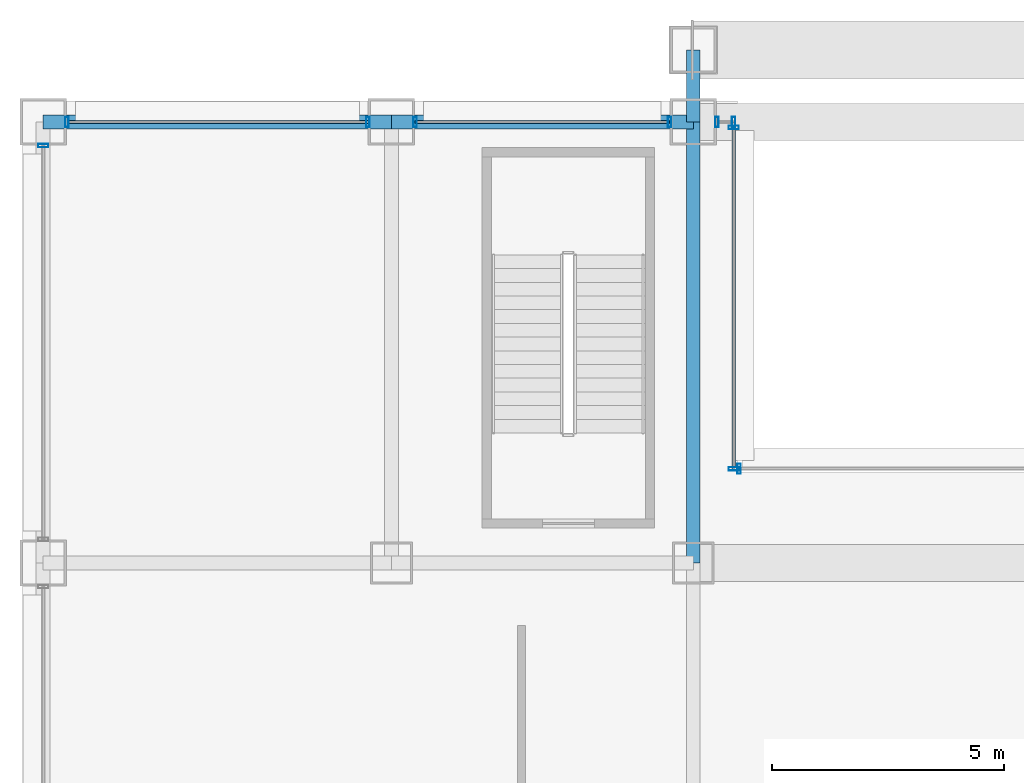
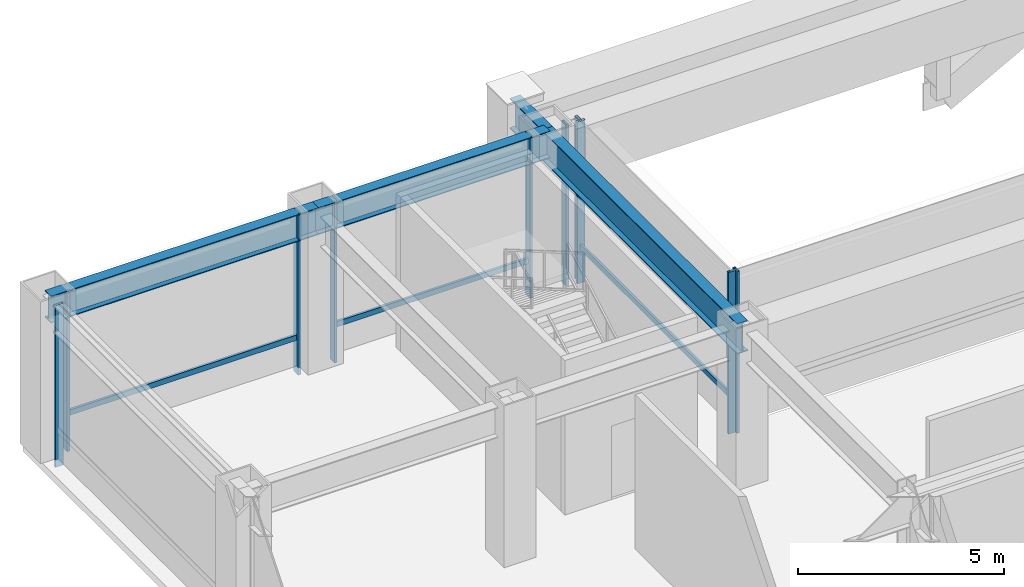
# One storey, part 17 of 37: 13 members, 4 beams, 6 elements without a shape of their own.
"""IFC4 building model written with IfcOpenShell, lengths in metres."""

from ifc_helpers import new_model, si_unit, direction, frame, origin, origin_2d, place, context, subcontext, project, spatial, hollow_rectangle, i_section, extrude, material, layer, layer_set, material_profile, profile_set, type_object, element, aggregate, save


model = new_model("IFC4")

# Units and contexts
model_context = context("Model", 3, precision=1e-05, world=origin(), true_north=direction((0.0, 1.0)))
body_context = subcontext(model_context, "Body", "Model", "MODEL_VIEW")
ifc_project = project(units=[si_unit("LENGTHUNIT", "METRE"), si_unit("AREAUNIT", "SQUARE_METRE"), si_unit("VOLUMEUNIT", "CUBIC_METRE"), si_unit("PLANEANGLEUNIT", "RADIAN"), si_unit("MASSUNIT", "GRAM", prefix="KILO")], contexts=[model_context])

# Site, building, storey
site_placement = place(None, origin())
site = spatial("IfcSite", under=ifc_project, at=site_placement, CompositionType="ELEMENT")
building_placement = place(site_placement, origin())
building = spatial("IfcBuilding", under=site, at=building_placement, Name="Brelmoor Portico Tower", CompositionType="ELEMENT")
storey_placement = place(building_placement, frame((0.0, 0.0, 14.39990234375)))
storey = spatial("IfcBuildingStorey", under=building, at=storey_placement, Name="L03", CompositionType="ELEMENT", Elevation=14.39990234375)

# Beams
ifc_material_1 = material(Name="Steel Q355B", Category="steel")
ifc_material_profile_1 = material_profile(ifc_material_1, i_section(OverallWidth=0.300048828125, OverallDepth=0.89990234375, WebThickness=0.01611328125, FlangeThickness=0.028076171875, at=origin_2d()), Name="HN 900x300x16x28")
ifc_profile_set_1 = profile_set([ifc_material_profile_1], Name="Steel Q355B")
beam_type_1 = type_object("IfcBeamType", Name="BM-PG-900", PredefinedType="BEAM", material=ifc_profile_set_1)
beam_1_placement = place(storey_placement, frame((-14.550048828125, 18.050048828125, 4.130126953125), z_axis=(0.0, 1.0, 0.0), x_axis=(-1.0, 0.0, 0.0)))
element("IfcBeam", 1, at=beam_1_placement, inside=storey, type_object=beam_type_1, Name="L03 Primary Floor Girder PG-09", PredefinedType="BEAM", context=body_context, shape_type="SweptSolid", body=[
    extrude(i_section(OverallWidth=0.300048828125, OverallDepth=0.89990234375, WebThickness=0.01611328125, FlangeThickness=0.028076171875, at=origin_2d()), origin(), (0.0, 0.0, 1.0), 9.5),
])
beam_2_placement = place(storey_placement, frame((-14.550048828125, 27.550048828125, 4.130126953125), z_axis=(0.0, 1.0, 0.0), x_axis=(-1.0, 0.0, 0.0)))
element("IfcBeam", 2, at=beam_2_placement, inside=storey, type_object=beam_type_1, Name="L03 Primary Floor Girder PG-10", PredefinedType="BEAM", context=body_context, shape_type="SweptSolid", body=[
    extrude(i_section(OverallWidth=0.300048828125, OverallDepth=0.89990234375, WebThickness=0.01611328125, FlangeThickness=0.028076171875, at=origin_2d()), origin(), (0.0, 0.0, 1.0), 1.550048828125),
])
ifc_material_profile_2 = material_profile(ifc_material_1, i_section(OverallWidth=0.300048828125, OverallDepth=0.800048828125, WebThickness=0.013916015625, FlangeThickness=0.02587890625, at=origin_2d()), Name="HN 800x300x14x26")
ifc_profile_set_2 = profile_set([ifc_material_profile_2], Name="Steel Q355B")
beam_type_2 = type_object("IfcBeamType", Name="BM-SP-800", PredefinedType="SPANDREL", material=ifc_profile_set_2)
beam_3_placement = place(storey_placement, frame((-28.550048828125, 27.550048828125, 4.18017578125), z_axis=(1.0, 0.0, 0.0), x_axis=(0.0, 1.0, 0.0)))
element("IfcBeam", 3, at=beam_3_placement, inside=storey, type_object=beam_type_2, Name="L03 Perimeter Spandrel Beam SP-06", PredefinedType="SPANDREL", context=body_context, shape_type="SweptSolid", body=[
    extrude(i_section(OverallWidth=0.300048828125, OverallDepth=0.800048828125, WebThickness=0.013916015625, FlangeThickness=0.02587890625, at=origin_2d()), origin(), (0.0, 0.0, 1.0), 7.5),
])
beam_4_placement = place(storey_placement, frame((-21.050048828125, 27.550048828125, 4.18017578125), z_axis=(1.0, 0.0, 0.0), x_axis=(0.0, 1.0, 0.0)))
element("IfcBeam", 4, at=beam_4_placement, inside=storey, type_object=beam_type_2, Name="L03 Perimeter Spandrel Beam SP-07", PredefinedType="SPANDREL", context=body_context, shape_type="SweptSolid", body=[
    extrude(i_section(OverallWidth=0.300048828125, OverallDepth=0.800048828125, WebThickness=0.013916015625, FlangeThickness=0.02587890625, at=origin_2d()), origin(), (0.0, 0.0, 1.0), 6.5),
])

# Curtain wall, members
ifc_material_2 = material(Name="Anodised Aluminium Alloy 6063-T6", Category="aluminium")
ifc_layer = layer(ifc_material_2, 0.179931640625)
ifc_layer_set = layer_set([ifc_layer], Name="Anodised Aluminium Alloy 6063-T6")
curtain_wall_type = type_object("IfcCurtainWallType", Name="CW-PODIUM-ARCH", PredefinedType="NOTDEFINED", material=ifc_layer_set)
curtain_wall_1_placement = place(storey_placement, origin())
curtain_wall_1 = element("IfcCurtainWall", 5, at=curtain_wall_1_placement, inside=storey, type_object=curtain_wall_type, Name="L03 Curtain Wall CW-L03-06-1", PredefinedType="NOTDEFINED")
ifc_material_profile_3 = material_profile(ifc_material_2, hollow_rectangle(XDim=0.074951171875, YDim=0.219970703125, WallThickness=0.0048828125, at=origin_2d()), Name="ALU MULLION 75x220")
ifc_profile_set_3 = profile_set([ifc_material_profile_3], Name="Anodised Aluminium Alloy 6063-T6")
member_type_1 = type_object("IfcMemberType", Name="MB-CW-MULL-220", PredefinedType="MULLION", material=ifc_profile_set_3)
member_1_placement = place(storey_placement, frame((-28.0400390625, 27.550048828125, -0.219970703125), z_axis=(0.0, 0.0, 1.0), x_axis=(1.0, 0.0, 0.0)))
member_1 = element("IfcMember", 6, at=member_1_placement, type_object=member_type_1, Name="CW-L03-06-1 Mullion 00", PredefinedType="MULLION", context=body_context, shape_type="SweptSolid", body=[
    extrude(hollow_rectangle(XDim=0.074951171875, YDim=0.219970703125, WallThickness=0.0048828125, at=origin_2d()), origin(), (0.0, 0.0, 1.0), 4.800048828125),
])
member_2_placement = place(storey_placement, frame((-21.56005859375, 27.550048828125, -0.219970703125), z_axis=(0.0, 0.0, 1.0), x_axis=(1.0, 0.0, 0.0)))
member_2 = element("IfcMember", 7, at=member_2_placement, type_object=member_type_1, Name="CW-L03-06-1 Mullion 01", PredefinedType="MULLION", context=body_context, shape_type="SweptSolid", body=[
    extrude(hollow_rectangle(XDim=0.074951171875, YDim=0.219970703125, WallThickness=0.0048828125, at=origin_2d()), origin(), (0.0, 0.0, 1.0), 4.800048828125),
])

curtain_wall_2_placement = place(storey_placement, origin())
curtain_wall_2 = element("IfcCurtainWall", 8, at=curtain_wall_2_placement, inside=storey, type_object=curtain_wall_type, Name="L03 Curtain Wall CW-L03-06-2", PredefinedType="NOTDEFINED")
member_3_placement = place(storey_placement, frame((-20.5400390625, 27.550048828125, -0.219970703125), z_axis=(0.0, 0.0, 1.0), x_axis=(1.0, 0.0, 0.0)))
member_3 = element("IfcMember", 9, at=member_3_placement, type_object=member_type_1, Name="CW-L03-06-2 Mullion 00", PredefinedType="MULLION", context=body_context, shape_type="SweptSolid", body=[
    extrude(hollow_rectangle(XDim=0.074951171875, YDim=0.219970703125, WallThickness=0.0048828125, at=origin_2d()), origin(), (0.0, 0.0, 1.0), 4.800048828125),
])
member_4_placement = place(storey_placement, frame((-15.06005859375, 27.550048828125, -0.219970703125), z_axis=(0.0, 0.0, 1.0), x_axis=(1.0, 0.0, 0.0)))
member_4 = element("IfcMember", 10, at=member_4_placement, type_object=member_type_1, Name="CW-L03-06-2 Mullion 01", PredefinedType="MULLION", context=body_context, shape_type="SweptSolid", body=[
    extrude(hollow_rectangle(XDim=0.074951171875, YDim=0.219970703125, WallThickness=0.0048828125, at=origin_2d()), origin(), (0.0, 0.0, 1.0), 4.800048828125),
])

curtain_wall_3_placement = place(storey_placement, origin())
curtain_wall_3 = element("IfcCurtainWall", 11, at=curtain_wall_3_placement, inside=storey, type_object=curtain_wall_type, Name="L03 Curtain Wall CW-L03-06-3", PredefinedType="NOTDEFINED")
member_5_placement = place(storey_placement, frame((-14.0400390625, 27.550048828125, -0.219970703125), z_axis=(0.0, 0.0, 1.0), x_axis=(1.0, 0.0, 0.0)))
member_5 = element("IfcMember", 12, at=member_5_placement, type_object=member_type_1, Name="CW-L03-06-3 Mullion 00", PredefinedType="MULLION", context=body_context, shape_type="SweptSolid", body=[
    extrude(hollow_rectangle(XDim=0.074951171875, YDim=0.219970703125, WallThickness=0.0048828125, at=origin_2d()), origin(), (0.0, 0.0, 1.0), 4.800048828125),
])
member_6_placement = place(storey_placement, frame((-13.679931640625, 27.550048828125, -0.219970703125), z_axis=(0.0, 0.0, 1.0), x_axis=(1.0, 0.0, 0.0)))
member_6 = element("IfcMember", 13, at=member_6_placement, type_object=member_type_1, Name="CW-L03-06-3 Mullion 01", PredefinedType="MULLION", context=body_context, shape_type="SweptSolid", body=[
    extrude(hollow_rectangle(XDim=0.074951171875, YDim=0.219970703125, WallThickness=0.0048828125, at=origin_2d()), origin(), (0.0, 0.0, 1.0), 4.800048828125),
])
aggregate(curtain_wall_3, [member_5, member_6])

curtain_wall_4_placement = place(storey_placement, origin())
curtain_wall_4 = element("IfcCurtainWall", 14, at=curtain_wall_4_placement, inside=storey, type_object=curtain_wall_type, Name="L03 Curtain Wall CW-L03-08", PredefinedType="NOTDEFINED")
member_7_placement = place(storey_placement, frame((-13.679931640625, 20.080078125, -0.219970703125), z_axis=(0.0, 0.0, 1.0), x_axis=(0.0, 1.0, 0.0)))
member_7 = element("IfcMember", 15, at=member_7_placement, type_object=member_type_1, Name="CW-L03-08 Mullion 00", PredefinedType="MULLION", context=body_context, shape_type="SweptSolid", body=[
    extrude(hollow_rectangle(XDim=0.074951171875, YDim=0.219970703125, WallThickness=0.0048828125, at=origin_2d()), origin(), (0.0, 0.0, 1.0), 4.800048828125),
])
member_8_placement = place(storey_placement, frame((-13.679931640625, 27.429931640625, -0.219970703125), z_axis=(0.0, 0.0, 1.0), x_axis=(0.0, 1.0, 0.0)))
member_8 = element("IfcMember", 16, at=member_8_placement, type_object=member_type_1, Name="CW-L03-08 Mullion 01", PredefinedType="MULLION", context=body_context, shape_type="SweptSolid", body=[
    extrude(hollow_rectangle(XDim=0.074951171875, YDim=0.219970703125, WallThickness=0.0048828125, at=origin_2d()), origin(), (0.0, 0.0, 1.0), 4.800048828125),
])

# Curtain wall, member
curtain_wall_5_placement = place(storey_placement, origin())
curtain_wall_5 = element("IfcCurtainWall", 17, at=curtain_wall_5_placement, inside=storey, type_object=curtain_wall_type, Name="L03 Curtain Wall CW-L03-10", PredefinedType="NOTDEFINED")
member_9_placement = place(storey_placement, frame((-13.56005859375, 20.080078125, -0.219970703125), z_axis=(0.0, 0.0, 1.0), x_axis=(1.0, 0.0, 0.0)))
member_9 = element("IfcMember", 18, at=member_9_placement, type_object=member_type_1, Name="CW-L03-10 Mullion 00", PredefinedType="MULLION", context=body_context, shape_type="SweptSolid", body=[
    extrude(hollow_rectangle(XDim=0.074951171875, YDim=0.219970703125, WallThickness=0.0048828125, at=origin_2d()), origin(), (0.0, 0.0, 1.0), 4.800048828125),
])
aggregate(curtain_wall_5, [member_9])

curtain_wall_6_placement = place(storey_placement, origin())
curtain_wall_6 = element("IfcCurtainWall", 19, at=curtain_wall_6_placement, inside=storey, type_object=curtain_wall_type, Name="L03 Curtain Wall CW-L03-11-6", PredefinedType="NOTDEFINED")
member_10_placement = place(storey_placement, frame((-28.550048828125, 27.0400390625, -0.219970703125), z_axis=(0.0, 0.0, 1.0), x_axis=(0.0, 1.0, 0.0)))
member_10 = element("IfcMember", 20, at=member_10_placement, type_object=member_type_1, Name="CW-L03-11-6 Mullion 01", PredefinedType="MULLION", context=body_context, shape_type="SweptSolid", body=[
    extrude(hollow_rectangle(XDim=0.074951171875, YDim=0.219970703125, WallThickness=0.0048828125, at=origin_2d()), origin(), (0.0, 0.0, 1.0), 4.800048828125),
])
aggregate(curtain_wall_6, [member_10])

# Member
ifc_material_profile_4 = material_profile(ifc_material_2, hollow_rectangle(XDim=0.070068359375, YDim=0.159912109375, WallThickness=0.00390625, at=origin_2d()), Name="ALU TRANSOM 70x160")
ifc_profile_set_4 = profile_set([ifc_material_profile_4], Name="Anodised Aluminium Alloy 6063-T6")
member_type_2 = type_object("IfcMemberType", Name="MB-CW-TRAN-160", PredefinedType="USERDEFINED", material=ifc_profile_set_4)
member_11_placement = place(storey_placement, frame((-28.0400390625, 27.550048828125, 0.85009765625), z_axis=(1.0, 0.0, 0.0), x_axis=(0.0, 1.0, 0.0)))
member_11 = element("IfcMember", 21, at=member_11_placement, type_object=member_type_2, Name="CW-L03-06-1 Transom 1-00", ObjectType="TRANSOM", PredefinedType="USERDEFINED", context=body_context, shape_type="SweptSolid", body=[
    extrude(hollow_rectangle(XDim=0.070068359375, YDim=0.159912109375, WallThickness=0.00390625, at=origin_2d()), origin(), (0.0, 0.0, 1.0), 6.47998046875),
])

aggregate(curtain_wall_1, [member_1, member_2, member_11])

member_12_placement = place(storey_placement, frame((-20.5400390625, 27.550048828125, 0.85009765625), z_axis=(1.0, 0.0, 0.0), x_axis=(0.0, 1.0, 0.0)))
member_12 = element("IfcMember", 22, at=member_12_placement, type_object=member_type_2, Name="CW-L03-06-2 Transom 1-00", ObjectType="TRANSOM", PredefinedType="USERDEFINED", context=body_context, shape_type="SweptSolid", body=[
    extrude(hollow_rectangle(XDim=0.070068359375, YDim=0.159912109375, WallThickness=0.00390625, at=origin_2d()), origin(), (0.0, 0.0, 1.0), 5.47998046875),
])

aggregate(curtain_wall_2, [member_3, member_4, member_12])

member_13_placement = place(storey_placement, frame((-13.679931640625, 20.080078125, 0.85009765625), z_axis=(0.0, 1.0, 0.0), x_axis=(-1.0, 0.0, 0.0)))
member_13 = element("IfcMember", 23, at=member_13_placement, type_object=member_type_2, Name="CW-L03-08 Transom 1-00", ObjectType="TRANSOM", PredefinedType="USERDEFINED", context=body_context, shape_type="SweptSolid", body=[
    extrude(hollow_rectangle(XDim=0.070068359375, YDim=0.159912109375, WallThickness=0.00390625, at=origin_2d()), origin(), (0.0, 0.0, 1.0), 7.469970703125),
])

aggregate(curtain_wall_4, [member_7, member_8, member_13])

save(model, "model.ifc")
